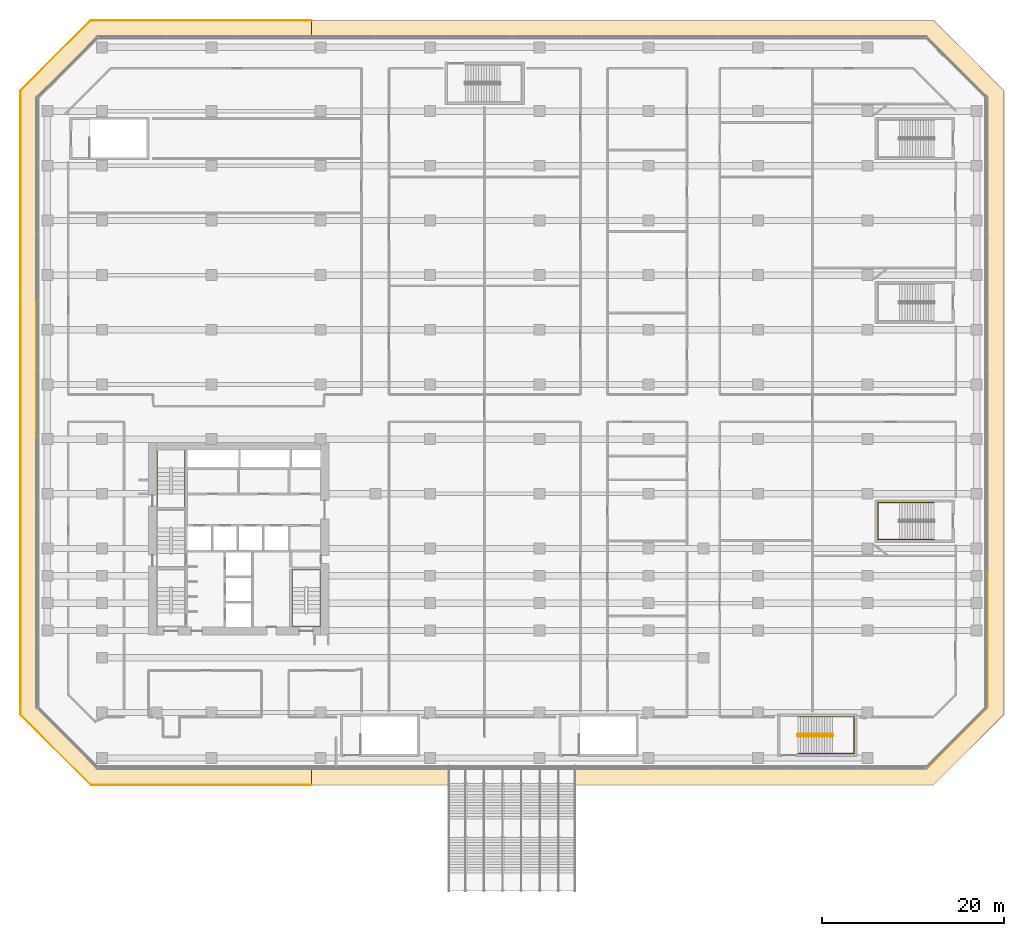
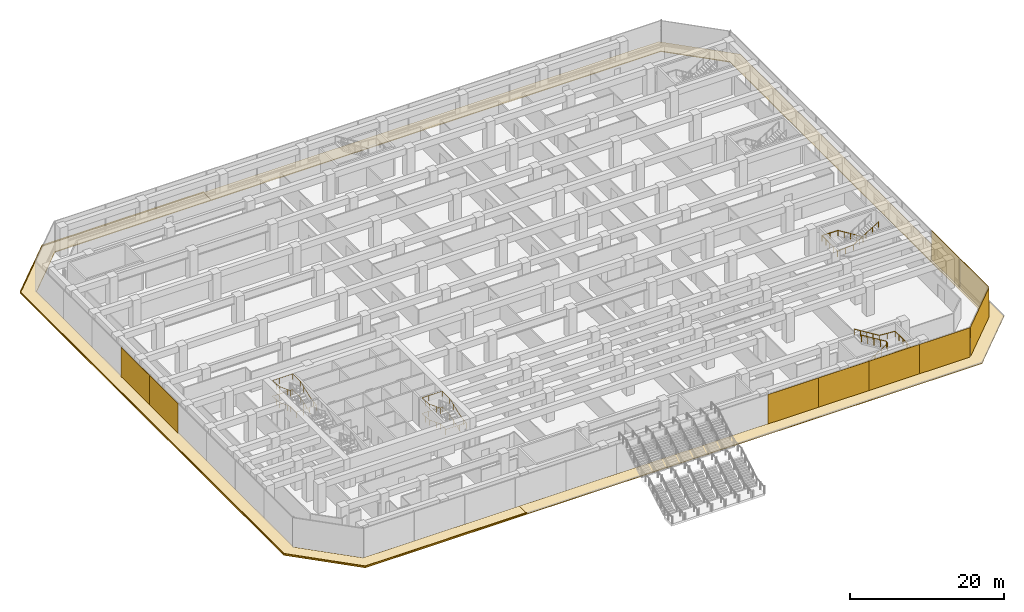
# One storey, part 38 of 40: 12 coverings, 5 railings.
"""IFC4 building model written with IfcOpenShell, lengths in metres."""

import ifcopenshell
import ifcopenshell.guid

model = None  # the IFC model being written
_history = None  # IfcOwnerHistory: only IFC2X3 demands one
_inside = {}  # id of a spatial element -> (the spatial element, [elements in it])
_under = {}  # id of a project, library or spatial element -> (it, [spatial elements below it])
_declared = {}  # id of a project -> (the project, [libraries it declares])
_typed = {}  # id of a type object -> (the type object, [elements of that type])
_made_of = {}  # id of a material, layer set ... -> (it, [elements and type objects made of it])


def new_model(schema):
    """Start an empty IFC model of exactly this schema.

    Asked for "IFC4X3", IfcOpenShell would pick the latest addendum, in which some entities
    have other attributes; the version numbers below select the first issue.
    IFC2X3 requires an IfcOwnerHistory on every rooted entity: one is made here for all.
    """
    global model, _history
    if schema == "IFC4X3":
        model = ifcopenshell.file(schema_version=(4, 3, 0, 0))
    else:
        model = ifcopenshell.file(schema=schema)
    _inside.clear()
    _under.clear()
    _declared.clear()
    _typed.clear()
    _made_of.clear()
    _history = None
    if model.schema == "IFC2X3":
        org = make("IfcOrganization", Name="unknown")
        user = make(
            "IfcPersonAndOrganization",
            ThePerson=make("IfcPerson", FamilyName="unknown"),
            TheOrganization=org,
        )
        app = make(
            "IfcApplication",
            ApplicationDeveloper=org,
            Version="unknown",
            ApplicationFullName="unknown",
            ApplicationIdentifier="unknown",
        )
        _history = make(
            "IfcOwnerHistory",
            OwningUser=user,
            OwningApplication=app,
            ChangeAction="ADDED",
            CreationDate=0,
        )
    return model


def make(cls, **values):
    """One entity of the class cls with the attributes given. An attribute that is None is left unset."""
    return model.create_entity(
        cls, **{name: value for name, value in values.items() if value is not None}
    )


def rooted(cls, **values):
    """An entity with a GlobalId (a new one), such as an element, a storey or a relation."""
    return make(cls, GlobalId=ifcopenshell.guid.new(), OwnerHistory=_history, **values)


def si_unit(unit_type, name, prefix=None):
    """IfcSIUnit, for example si_unit("LENGTHUNIT", "METRE", prefix="MILLI")."""
    return make("IfcSIUnit", UnitType=unit_type, Prefix=prefix, Name=name)


def assignment(units):
    """IfcUnitAssignment: the units of a project."""
    return None if units is None else make("IfcUnitAssignment", Units=units)


def point(xyz):
    """IfcCartesianPoint."""
    return None if xyz is None else make("IfcCartesianPoint", Coordinates=xyz)


def direction(xyz):
    """IfcDirection."""
    return None if xyz is None else make("IfcDirection", DirectionRatios=xyz)


def frame(location, z_axis=None, x_axis=None):
    """IfcAxis2Placement3D, a coordinate frame: its origin and axes. An axis left out is left unset."""
    return make(
        "IfcAxis2Placement3D",
        Location=point(location),
        Axis=direction(z_axis),
        RefDirection=direction(x_axis),
    )


def frame_2d(location, x_axis=None):
    """IfcAxis2Placement2D, a coordinate frame in the plane: its origin and x axis."""
    return make(
        "IfcAxis2Placement2D", Location=point(location), RefDirection=direction(x_axis)
    )


def origin():
    """The frame at (0, 0, 0) with its axes left unset."""
    return frame((0.0, 0.0, 0.0))


def origin_2d():
    """The frame at (0, 0) in the plane with its x axis left unset."""
    return frame_2d((0.0, 0.0))


def place(relative_to, where):
    """IfcLocalPlacement: puts the frame where relative to a parent placement (None: the world)."""
    return make(
        "IfcLocalPlacement", PlacementRelTo=relative_to, RelativePlacement=where
    )


def context(
    kind, dimensions, precision=None, world=None, true_north=None, identifier=None
):
    """IfcGeometricRepresentationContext, for example the 3D "Model" context."""
    return make(
        "IfcGeometricRepresentationContext",
        ContextIdentifier=identifier,
        ContextType=kind,
        CoordinateSpaceDimension=dimensions,
        Precision=precision,
        WorldCoordinateSystem=world,
        TrueNorth=true_north,
    )


def subcontext(parent, identifier, kind, view, scale=None):
    """IfcGeometricRepresentationSubContext, for example "Body" below "Model"."""
    return make(
        "IfcGeometricRepresentationSubContext",
        ContextIdentifier=identifier,
        ContextType=kind,
        ParentContext=parent,
        TargetScale=scale,
        TargetView=view,
    )


def project(units=None, contexts=None):
    """IfcProject with its units and contexts."""
    return rooted(
        "IfcProject",
        Name="project",
        RepresentationContexts=contexts,
        UnitsInContext=assignment(units),
    )


def spatial(cls, under=None, at=None, **own):
    """A site, building, storey or space (cls), placed at a placement, below another one or the project."""
    s = rooted(cls, ObjectPlacement=at, **own)
    if under is not None:
        _under.setdefault(under.id(), (under, []))[1].append(s)
    return s


def polyline(points):
    """IfcPolyline through the points."""
    return make("IfcPolyline", Points=[point(p) for p in points])


def profile(cls, at=None, kind="AREA", **sizes):
    """A parametric profile (cls). Its sizes go by their IFC names, for example OverallWidth=200.0."""
    return make(cls, ProfileType=kind, Position=at, **sizes)


def rectangle(**sizes):
    """IfcRectangleProfileDef."""
    return profile("IfcRectangleProfileDef", **sizes)


def circle(**sizes):
    """IfcCircleProfileDef."""
    return profile("IfcCircleProfileDef", **sizes)


def outline(outer, holes=None, kind="AREA"):
    """IfcArbitraryClosedProfileDef: a profile drawn as a closed curve; with holes, ...WithVoids."""
    if holes is None:
        return make("IfcArbitraryClosedProfileDef", ProfileType=kind, OuterCurve=outer)
    return make(
        "IfcArbitraryProfileDefWithVoids",
        ProfileType=kind,
        OuterCurve=outer,
        InnerCurves=holes,
    )


def extrude(swept, where, along, depth):
    """IfcExtrudedAreaSolid: the profile swept, set in the frame where, extruded along a direction by depth."""
    return make(
        "IfcExtrudedAreaSolid",
        SweptArea=swept,
        Position=where,
        ExtrudedDirection=direction(along),
        Depth=depth,
    )


def shape(context_of_items, identifier, shape_type, items):
    """IfcShapeRepresentation: the items that make up one representation, for example the "Body"."""
    return make(
        "IfcShapeRepresentation",
        ContextOfItems=context_of_items,
        RepresentationIdentifier=identifier,
        RepresentationType=shape_type,
        Items=items,
    )


def material(Name=None, Category=None):
    """IfcMaterial."""
    return make("IfcMaterial", Name=Name, Category=Category)


def layer(
    of_material, thickness, ventilated=None, Name=None, Category=None, Priority=None
):
    """IfcMaterialLayer: one layer of a wall or slab, of a material (None: an air gap)."""
    return make(
        "IfcMaterialLayer",
        Material=of_material,
        LayerThickness=thickness,
        IsVentilated=ventilated,
        Name=Name,
        Category=Category,
        Priority=Priority,
    )


def layer_set(layers, Name=None):
    """IfcMaterialLayerSet."""
    return make("IfcMaterialLayerSet", MaterialLayers=layers, LayerSetName=Name)


def made_of(thing, what):
    """Note that an element or type object is made of a material, layer set ...; save() writes the relation."""
    if what is not None:
        _made_of.setdefault(what.id(), (what, []))[1].append(thing)
    return thing


def type_object(cls, material=None, **own):
    """A type object (cls), such as IfcWallType, which elements share."""
    return made_of(rooted(cls, **own), material)


def element(
    cls,
    number,
    at=None,
    inside=None,
    cuts=None,
    type_object=None,
    material=None,
    context=None,
    identifier="Body",
    shape_type=None,
    held_by="IfcProductDefinitionShape",
    body=None,
    shapes=None,
    **own,
):
    """One element of the class cls, such as IfcWall. Its Tag is "e" and its number.

    at: its placement. inside: the storey or other place that contains it. cuts: it is an
    opening in that element (IfcRelVoidsElement). A single representation is given by context,
    identifier, shape_type and body (its items); several are given by shapes. held_by: the class
    of the entity that holds the representations. save() writes the other relations.
    """
    e = rooted(cls, Tag="e%d" % number, ObjectPlacement=at, **own)
    if body is not None:
        shapes = [shape(context, identifier, shape_type, body)]
    if shapes is not None:
        e.Representation = make(held_by, Representations=shapes)
    if inside is not None:
        _inside.setdefault(inside.id(), (inside, []))[1].append(e)
    if cuts is not None:
        rooted(
            "IfcRelVoidsElement", RelatingBuildingElement=cuts, RelatedOpeningElement=e
        )
    if type_object is not None:
        _typed.setdefault(type_object.id(), (type_object, []))[1].append(e)
    return made_of(e, material)


def aggregate(whole, parts):
    """IfcRelAggregates: a whole, such as a stair, and the parts it consists of."""
    return rooted("IfcRelAggregates", RelatingObject=whole, RelatedObjects=parts)


def save(model, path):
    """Write the relations noted so far, then the file.

    IfcRelAggregates (storeys below a building ...), IfcRelContainedInSpatialStructure (elements
    in a storey), IfcRelDefinesByType, IfcRelAssociatesMaterial and IfcRelDeclares: one each for
    every whole, place, type object, material and project.
    """
    for whole, parts in _under.values():
        aggregate(whole, parts)
    for where, things in _inside.values():
        rooted(
            "IfcRelContainedInSpatialStructure",
            RelatedElements=things,
            RelatingStructure=where,
        )
    for kind, things in _typed.values():
        rooted("IfcRelDefinesByType", RelatedObjects=things, RelatingType=kind)
    for what, things in _made_of.values():
        rooted("IfcRelAssociatesMaterial", RelatedObjects=things, RelatingMaterial=what)
    for by, libraries in _declared.values():
        rooted("IfcRelDeclares", RelatingContext=by, RelatedDefinitions=libraries)
    model.write(path)


model = new_model("IFC4")

# Units and contexts
model_context = context("Model", 3, precision=1e-05, world=origin(), true_north=direction((0.0, 1.0)))
body_context = subcontext(model_context, "Body", "Model", "MODEL_VIEW")
ifc_project = project(units=[si_unit("LENGTHUNIT", "METRE"), si_unit("AREAUNIT", "SQUARE_METRE"), si_unit("VOLUMEUNIT", "CUBIC_METRE"), si_unit("PLANEANGLEUNIT", "RADIAN"), si_unit("MASSUNIT", "GRAM", prefix="KILO")], contexts=[model_context])

# Site, building, storey
site_placement = place(None, origin())
site = spatial("IfcSite", under=ifc_project, at=site_placement, CompositionType="ELEMENT")
building_placement = place(site_placement, origin())
building = spatial("IfcBuilding", under=site, at=building_placement, Name="Welwitschia Terrace Campus", CompositionType="ELEMENT")
storey_placement = place(building_placement, frame((0.0, 0.0, 6.0)))
storey = spatial("IfcBuildingStorey", under=building, at=storey_placement, Name="L01", CompositionType="ELEMENT", Elevation=6.0)

# Coverings
ifc_material_1 = material(Name="Bronze mesh aluminium screen", Category="aluminium")
ifc_layer_1 = layer(ifc_material_1, 0.06005859375)
ifc_layer_set_1 = layer_set([ifc_layer_1], Name="Bronze mesh aluminium screen")
covering_type_1 = type_object("IfcCoveringType", Name="Bronze screen 60", PredefinedType="USERDEFINED", material=ifc_layer_set_1)
for number, where, z_axis, x_axis, name in (
    (1, (63.937255859375, -10.18994140625, 0.0), (0.0, 0.0, 1.0), (1.0, 0.0, 0.0), "Screen L01.0.8"),
    (2, (71.51220703125, -10.18994140625, 0.0), (0.0, 0.0, 1.0), (1.0, 0.0, 0.0), "Screen L01.0.9"),
    (3, (79.087158203125, -10.18994140625, 0.0), (0.0, 0.0, 1.0), (1.0, 0.0, 0.0), "Screen L01.0.10"),
    (4, (86.662109375, -10.18994140625, 0.0), (0.0, 0.0, 1.0), (1.0, 0.0, 0.0), "Screen L01.0.11"),
):
    element("IfcCovering", number, at=place(storey_placement, frame(where, z_axis=z_axis, x_axis=x_axis)), inside=storey, type_object=covering_type_1, Name=name, ObjectType="SCREEN", PredefinedType="USERDEFINED", context=body_context, shape_type="SweptSolid", body=[
        extrude(rectangle(XDim=7.554931640625, YDim=0.06005859375, at=origin_2d()), origin(), (0.0, 0.0, 1.0), 4.64990234375),
    ])
covering_1_placement = place(storey_placement, frame((93.841552734375, -6.841552734375, 0.0), z_axis=(0.0, 0.0, 1.0), x_axis=(0.707106781187, 0.707106781187, 0.0)))
element("IfcCovering", 5, at=covering_1_placement, inside=storey, type_object=covering_type_1, Name="Screen L01.1.0", ObjectType="SCREEN", PredefinedType="USERDEFINED", context=body_context, shape_type="SweptSolid", body=[
    extrude(rectangle(XDim=9.364013671875, YDim=0.06005859375, at=origin_2d()), origin(), (0.0, 0.0, 1.0), 4.64990234375),
])
for number, where, z_axis, x_axis, name in (
    (6, (97.18994140625, 0.26708984375, 0.0), (0.0, 0.0, 1.0), (0.0, 1.0, 0.0), "Screen L01.2.0"),
    (7, (97.18994140625, 7.700439453125, 0.0), (0.0, 0.0, 1.0), (0.0, 1.0, 0.0), "Screen L01.2.1"),
    (8, (-7.18994140625, 37.43310546875, 0.0), (0.0, 0.0, 1.0), (0.0, -1.0, 0.0), "Screen L01.6.3"),
    (9, (-7.18994140625, 30.0, 0.0), (0.0, 0.0, 1.0), (0.0, -1.0, 0.0), "Screen L01.6.4"),
):
    element("IfcCovering", number, at=place(storey_placement, frame(where, z_axis=z_axis, x_axis=x_axis)), inside=storey, type_object=covering_type_1, Name=name, ObjectType="SCREEN", PredefinedType="USERDEFINED", context=body_context, shape_type="SweptSolid", body=[
        extrude(rectangle(XDim=7.4130859375, YDim=0.06005859375, at=origin_2d()), origin(), (0.0, 0.0, 1.0), 4.64990234375),
    ])

# Railings
ifc_material_2 = material(Name="Steel S355", Category="steel")
railing_type_1 = type_object("IfcRailingType", Name="Stair guard 1100", PredefinedType="GUARDRAIL", material=ifc_material_2)
railing_1_placement = place(storey_placement, frame((76.35009765625, -6.425048828125, 0.0)))
element("IfcRailing", 10, at=railing_1_placement, inside=storey, type_object=railing_type_1, Name="L01 P5 stair guard", PredefinedType="GUARDRAIL", context=body_context, shape_type="SweptSolid", body=[
    extrude(circle(Radius=0.02392578125, at=origin_2d()), frame((0.0, 0.0, 1.076171875), z_axis=(0.0, -1.0, 0.0), x_axis=(1.0, 0.0, 0.0)), (0.0, 0.0, 1.0), 0.14990234375),
    extrude(circle(Radius=0.02392578125, at=origin_2d()), frame((0.0, -0.14990234375, 1.076171875), z_axis=(0.25949872427, -0.26077077684, 0.929870428634), x_axis=(0.708833529934, 0.705375805398, 0.0)), (0.0, 0.0, 1.0), 0.19189453125),
    extrude(circle(Radius=0.02392578125, at=origin_2d()), frame((0.0498046875, -0.199951171875, 1.25439453125), z_axis=(0.851504923564, 0.0, 0.524346607834), x_axis=(0.0, 1.0, 0.0)), (0.0, 0.0, 1.0), 4.427490234375),
    extrude(circle(Radius=0.02392578125, at=origin_2d()), frame((3.81982421875, -0.199951171875, 3.576171875), z_axis=(0.707106781187, 0.707106781187, 0.0), x_axis=(-0.707106781187, 0.707106781187, 0.0)), (0.0, 0.0, 1.0), 0.07080078125),
    extrude(circle(Radius=0.02392578125, at=origin_2d()), frame((3.869873046875, -0.14990234375, 3.576171875), z_axis=(0.0, 1.0, 0.0), x_axis=(-1.0, 0.0, 0.0)), (0.0, 0.0, 1.0), 0.14990234375),
    extrude(circle(Radius=0.02392578125, at=origin_2d()), frame((3.869873046875, 0.0, 3.576171875), z_axis=(-0.260684529273, 0.260684529273, 0.929562882432), x_axis=(-0.707106781187, -0.707106781187, 0.0)), (0.0, 0.0, 1.0), 0.19189453125),
    extrude(circle(Radius=0.02392578125, at=origin_2d()), frame((3.81982421875, 0.050048828125, 3.75439453125), z_axis=(-0.851504923564, 0.0, 0.524346607834), x_axis=(0.0, -1.0, 0.0)), (0.0, 0.0, 1.0), 4.427490234375),
    extrude(circle(Radius=0.02099609375, at=origin_2d()), origin(), (0.0, 0.0, 1.0), 1.052001953125),
    extrude(circle(Radius=0.02099609375, at=origin_2d()), frame((0.0, -0.14990234375, 0.0)), (0.0, 0.0, 1.0), 1.052001953125),
    extrude(circle(Radius=0.02099609375, at=origin_2d()), frame((0.0498046875, -0.199951171875, 0.178466796875)), (0.0, 0.0, 1.0), 1.052001953125),
    extrude(circle(Radius=0.02099609375, at=origin_2d()), frame((0.9921875, -0.199951171875, 0.7587890625)), (0.0, 0.0, 1.0), 1.052001953125),
    extrude(circle(Radius=0.02099609375, at=origin_2d()), frame((1.934814453125, -0.199951171875, 1.33935546875)), (0.0, 0.0, 1.0), 1.052001953125),
    extrude(circle(Radius=0.02099609375, at=origin_2d()), frame((2.87744140625, -0.199951171875, 1.919677734375)), (0.0, 0.0, 1.0), 1.052001953125),
    extrude(circle(Radius=0.02099609375, at=origin_2d()), frame((3.81982421875, -0.199951171875, 2.5)), (0.0, 0.0, 1.0), 1.052001953125),
    extrude(circle(Radius=0.02099609375, at=origin_2d()), frame((3.869873046875, -0.14990234375, 2.5)), (0.0, 0.0, 1.0), 1.052001953125),
    extrude(circle(Radius=0.02099609375, at=origin_2d()), frame((3.869873046875, 0.0, 2.5)), (0.0, 0.0, 1.0), 1.052001953125),
    extrude(circle(Radius=0.02099609375, at=origin_2d()), frame((3.81982421875, 0.050048828125, 2.678466796875)), (0.0, 0.0, 1.0), 1.052001953125),
    extrude(circle(Radius=0.02099609375, at=origin_2d()), frame((2.87744140625, 0.050048828125, 3.2587890625)), (0.0, 0.0, 1.0), 1.052001953125),
    extrude(circle(Radius=0.02099609375, at=origin_2d()), frame((1.934814453125, 0.050048828125, 3.83935546875)), (0.0, 0.0, 1.0), 1.052001953125),
    extrude(circle(Radius=0.02099609375, at=origin_2d()), frame((0.9921875, 0.050048828125, 4.419677734375)), (0.0, 0.0, 1.0), 1.052001953125),
    extrude(circle(Radius=0.02099609375, at=origin_2d()), frame((0.0498046875, 0.050048828125, 5.0)), (0.0, 0.0, 1.0), 1.052001953125),
])
ifc_material_3 = material(Name="Steel S355", Category="steel")
railing_type_2 = type_object("IfcRailingType", Name="Stair handrail 900", PredefinedType="HANDRAIL", material=ifc_material_3)
railing_2_placement = place(storey_placement, frame((9.10009765625, 20.0, 0.178466796875)))
element("IfcRailing", 11, at=railing_2_placement, inside=storey, type_object=railing_type_2, Name="L01 S4 stair handrail", PredefinedType="HANDRAIL", context=body_context, shape_type="SweptSolid", body=[
    extrude(circle(Radius=0.02392578125, at=origin_2d()), frame((0.0, 0.0, 0.8759765625), z_axis=(0.0, 0.934793791609, 0.355190888354), x_axis=(-1.0, 0.0, 0.0)), (0.0, 0.0, 1.0), 3.016845703125),
    extrude(circle(Radius=0.02392578125, at=origin_2d()), frame((0.0, 2.820068359375, 1.947265625), z_axis=(0.0, 1.0, 0.0), x_axis=(-1.0, 0.0, 0.0)), (0.0, 0.0, 1.0), 1.929931640625),
    extrude(circle(Radius=0.02392578125, at=origin_2d()), frame((0.0, 4.75, 1.947265625), z_axis=(-1.0, 0.0, 0.0), x_axis=(0.0, -1.0, 0.0)), (0.0, 0.0, 1.0), 3.050048828125),
    extrude(circle(Radius=0.02392578125, at=origin_2d()), frame((-3.050048828125, 4.75, 1.947265625), z_axis=(0.0, -0.995751588871, 0.092080254455), x_axis=(1.0, 0.0, 0.0)), (0.0, 0.0, 1.0), 1.938232421875),
    extrude(circle(Radius=0.02392578125, at=origin_2d()), frame((-3.050048828125, 2.820068359375, 2.1259765625), z_axis=(0.0, -0.934793791609, 0.355190888354), x_axis=(1.0, 0.0, 0.0)), (0.0, 0.0, 1.0), 3.016845703125),
    extrude(circle(Radius=0.02392578125, at=origin_2d()), frame((-3.050048828125, 0.0, 3.197265625), z_axis=(0.0, -1.0, 0.0), x_axis=(1.0, 0.0, 0.0)), (0.0, 0.0, 1.0), 1.449951171875),
    extrude(circle(Radius=0.02392578125, at=origin_2d()), frame((-3.050048828125, -1.449951171875, 3.197265625), z_axis=(1.0, 0.0, 0.0), x_axis=(0.0, 1.0, 0.0)), (0.0, 0.0, 1.0), 3.050048828125),
    extrude(circle(Radius=0.02392578125, at=origin_2d()), frame((0.0, -1.449951171875, 3.197265625), z_axis=(0.0, 0.992510075744, 0.122162799355), x_axis=(-1.0, 0.0, 0.0)), (0.0, 0.0, 1.0), 1.4609375),
    extrude(circle(Radius=0.02392578125, at=origin_2d()), frame((0.0, 0.0, 3.3759765625), z_axis=(0.0, 0.934793791609, 0.355190888354), x_axis=(-1.0, 0.0, 0.0)), (0.0, 0.0, 1.0), 3.016845703125),
    extrude(circle(Radius=0.02392578125, at=origin_2d()), frame((0.0, 2.820068359375, 4.447265625), z_axis=(0.0, 1.0, 0.0), x_axis=(-1.0, 0.0, 0.0)), (0.0, 0.0, 1.0), 1.929931640625),
    extrude(circle(Radius=0.02392578125, at=origin_2d()), frame((0.0, 4.75, 4.447265625), z_axis=(-1.0, 0.0, 0.0), x_axis=(0.0, -1.0, 0.0)), (0.0, 0.0, 1.0), 3.050048828125),
    extrude(circle(Radius=0.02392578125, at=origin_2d()), frame((-3.050048828125, 4.75, 4.447265625), z_axis=(0.0, -0.995751588871, 0.092080254455), x_axis=(1.0, 0.0, 0.0)), (0.0, 0.0, 1.0), 1.938232421875),
    extrude(circle(Radius=0.02392578125, at=origin_2d()), frame((-3.050048828125, 2.820068359375, 4.6259765625), z_axis=(0.0, -0.934793791609, 0.355190888354), x_axis=(1.0, 0.0, 0.0)), (0.0, 0.0, 1.0), 3.016845703125),
    extrude(circle(Radius=0.02099609375, at=origin_2d()), origin(), (0.0, 0.0, 1.0), 0.851806640625),
    extrude(circle(Radius=0.02099609375, at=origin_2d()), frame((0.0, 0.93994140625, 0.357177734375)), (0.0, 0.0, 1.0), 0.851806640625),
    extrude(circle(Radius=0.02099609375, at=origin_2d()), frame((0.0, 1.880126953125, 0.71435546875)), (0.0, 0.0, 1.0), 0.851806640625),
    extrude(circle(Radius=0.02099609375, at=origin_2d()), frame((0.0, 2.820068359375, 1.071533203125)), (0.0, 0.0, 1.0), 0.851806640625),
    extrude(circle(Radius=0.02099609375, at=origin_2d()), frame((0.0, 3.78515625, 1.071533203125)), (0.0, 0.0, 1.0), 0.851806640625),
    extrude(circle(Radius=0.02099609375, at=origin_2d()), frame((0.0, 4.75, 1.071533203125)), (0.0, 0.0, 1.0), 0.851806640625),
    extrude(circle(Radius=0.02099609375, at=origin_2d()), frame((-1.0166015625, 4.75, 1.071533203125)), (0.0, 0.0, 1.0), 0.851806640625),
    extrude(circle(Radius=0.02099609375, at=origin_2d()), frame((-2.033447265625, 4.75, 1.071533203125)), (0.0, 0.0, 1.0), 0.851806640625),
    extrude(circle(Radius=0.02099609375, at=origin_2d()), frame((-3.050048828125, 4.75, 1.071533203125)), (0.0, 0.0, 1.0), 0.851806640625),
    extrude(circle(Radius=0.02099609375, at=origin_2d()), frame((-3.050048828125, 3.78515625, 1.16064453125)), (0.0, 0.0, 1.0), 0.851806640625),
    extrude(circle(Radius=0.02099609375, at=origin_2d()), frame((-3.050048828125, 2.820068359375, 1.25)), (0.0, 0.0, 1.0), 0.851806640625),
    extrude(circle(Radius=0.02099609375, at=origin_2d()), frame((-3.050048828125, 1.880126953125, 1.607177734375)), (0.0, 0.0, 1.0), 0.851806640625),
    extrude(circle(Radius=0.02099609375, at=origin_2d()), frame((-3.050048828125, 0.93994140625, 1.96435546875)), (0.0, 0.0, 1.0), 0.851806640625),
    extrude(circle(Radius=0.02099609375, at=origin_2d()), frame((-3.050048828125, 0.0, 2.321533203125)), (0.0, 0.0, 1.0), 0.851806640625),
    extrude(circle(Radius=0.02099609375, at=origin_2d()), frame((-3.050048828125, -0.72509765625, 2.321533203125)), (0.0, 0.0, 1.0), 0.851806640625),
    extrude(circle(Radius=0.02099609375, at=origin_2d()), frame((-3.050048828125, -1.449951171875, 2.321533203125)), (0.0, 0.0, 1.0), 0.851806640625),
    extrude(circle(Radius=0.02099609375, at=origin_2d()), frame((-2.033447265625, -1.449951171875, 2.321533203125)), (0.0, 0.0, 1.0), 0.851806640625),
    extrude(circle(Radius=0.02099609375, at=origin_2d()), frame((-1.0166015625, -1.449951171875, 2.321533203125)), (0.0, 0.0, 1.0), 0.851806640625),
    extrude(circle(Radius=0.02099609375, at=origin_2d()), frame((0.0, -1.449951171875, 2.321533203125)), (0.0, 0.0, 1.0), 0.851806640625),
    extrude(circle(Radius=0.02099609375, at=origin_2d()), frame((0.0, -0.72509765625, 2.41064453125)), (0.0, 0.0, 1.0), 0.851806640625),
    extrude(circle(Radius=0.02099609375, at=origin_2d()), frame((0.0, 0.0, 2.5)), (0.0, 0.0, 1.0), 0.851806640625),
    extrude(circle(Radius=0.02099609375, at=origin_2d()), frame((0.0, 0.93994140625, 2.857177734375)), (0.0, 0.0, 1.0), 0.851806640625),
    extrude(circle(Radius=0.02099609375, at=origin_2d()), frame((0.0, 1.880126953125, 3.21435546875)), (0.0, 0.0, 1.0), 0.851806640625),
    extrude(circle(Radius=0.02099609375, at=origin_2d()), frame((0.0, 2.820068359375, 3.571533203125)), (0.0, 0.0, 1.0), 0.851806640625),
    extrude(circle(Radius=0.02099609375, at=origin_2d()), frame((0.0, 3.78515625, 3.571533203125)), (0.0, 0.0, 1.0), 0.851806640625),
    extrude(circle(Radius=0.02099609375, at=origin_2d()), frame((0.0, 4.75, 3.571533203125)), (0.0, 0.0, 1.0), 0.851806640625),
    extrude(circle(Radius=0.02099609375, at=origin_2d()), frame((-1.0166015625, 4.75, 3.571533203125)), (0.0, 0.0, 1.0), 0.851806640625),
    extrude(circle(Radius=0.02099609375, at=origin_2d()), frame((-2.033447265625, 4.75, 3.571533203125)), (0.0, 0.0, 1.0), 0.851806640625),
    extrude(circle(Radius=0.02099609375, at=origin_2d()), frame((-3.050048828125, 4.75, 3.571533203125)), (0.0, 0.0, 1.0), 0.851806640625),
    extrude(circle(Radius=0.02099609375, at=origin_2d()), frame((-3.050048828125, 3.78515625, 3.66064453125)), (0.0, 0.0, 1.0), 0.851806640625),
    extrude(circle(Radius=0.02099609375, at=origin_2d()), frame((-3.050048828125, 2.820068359375, 3.75)), (0.0, 0.0, 1.0), 0.851806640625),
    extrude(circle(Radius=0.02099609375, at=origin_2d()), frame((-3.050048828125, 1.880126953125, 4.107177734375)), (0.0, 0.0, 1.0), 0.851806640625),
    extrude(circle(Radius=0.02099609375, at=origin_2d()), frame((-3.050048828125, 0.93994140625, 4.46435546875)), (0.0, 0.0, 1.0), 0.851806640625),
    extrude(circle(Radius=0.02099609375, at=origin_2d()), frame((-3.050048828125, 0.0, 4.821533203125)), (0.0, 0.0, 1.0), 0.851806640625),
])
railing_3_placement = place(storey_placement, frame((23.949951171875, 6.89990234375, 0.178466796875)))
element("IfcRailing", 12, at=railing_3_placement, inside=storey, type_object=railing_type_2, Name="L01 S2 stair handrail", PredefinedType="HANDRAIL", context=body_context, shape_type="SweptSolid", body=[
    extrude(circle(Radius=0.02392578125, at=origin_2d()), frame((0.0, 0.0, 0.8759765625), z_axis=(0.0, 0.934793791609, 0.355190888354), x_axis=(-1.0, 0.0, 0.0)), (0.0, 0.0, 1.0), 3.016845703125),
    extrude(circle(Radius=0.02392578125, at=origin_2d()), frame((0.0, 2.820068359375, 1.947265625), z_axis=(0.0, 1.0, 0.0), x_axis=(-1.0, 0.0, 0.0)), (0.0, 0.0, 1.0), 1.929931640625),
    extrude(circle(Radius=0.02392578125, at=origin_2d()), frame((0.0, 4.75, 1.947265625), z_axis=(-1.0, 0.0, 0.0), x_axis=(0.0, -1.0, 0.0)), (0.0, 0.0, 1.0), 3.050048828125),
    extrude(circle(Radius=0.02392578125, at=origin_2d()), frame((-3.050048828125, 4.75, 1.947265625), z_axis=(0.0, -0.995751588871, 0.092080254455), x_axis=(1.0, 0.0, 0.0)), (0.0, 0.0, 1.0), 1.938232421875),
    extrude(circle(Radius=0.02392578125, at=origin_2d()), frame((-3.050048828125, 2.820068359375, 2.1259765625), z_axis=(0.0, -0.934793791609, 0.355190888354), x_axis=(1.0, 0.0, 0.0)), (0.0, 0.0, 1.0), 3.016845703125),
    extrude(circle(Radius=0.02392578125, at=origin_2d()), frame((-3.050048828125, 0.0, 3.197265625), z_axis=(0.0, -1.0, 0.0), x_axis=(1.0, 0.0, 0.0)), (0.0, 0.0, 1.0), 1.449951171875),
    extrude(circle(Radius=0.02392578125, at=origin_2d()), frame((-3.050048828125, -1.449951171875, 3.197265625), z_axis=(1.0, 0.0, 0.0), x_axis=(0.0, 1.0, 0.0)), (0.0, 0.0, 1.0), 3.050048828125),
    extrude(circle(Radius=0.02392578125, at=origin_2d()), frame((0.0, -1.449951171875, 3.197265625), z_axis=(0.0, 0.992510075744, 0.122162799355), x_axis=(-1.0, 0.0, 0.0)), (0.0, 0.0, 1.0), 1.4609375),
    extrude(circle(Radius=0.02392578125, at=origin_2d()), frame((0.0, 0.0, 3.3759765625), z_axis=(0.0, 0.934793791609, 0.355190888354), x_axis=(-1.0, 0.0, 0.0)), (0.0, 0.0, 1.0), 3.016845703125),
    extrude(circle(Radius=0.02392578125, at=origin_2d()), frame((0.0, 2.820068359375, 4.447265625), z_axis=(0.0, 1.0, 0.0), x_axis=(-1.0, 0.0, 0.0)), (0.0, 0.0, 1.0), 1.929931640625),
    extrude(circle(Radius=0.02392578125, at=origin_2d()), frame((0.0, 4.75, 4.447265625), z_axis=(-1.0, 0.0, 0.0), x_axis=(0.0, -1.0, 0.0)), (0.0, 0.0, 1.0), 3.050048828125),
    extrude(circle(Radius=0.02392578125, at=origin_2d()), frame((-3.050048828125, 4.75, 4.447265625), z_axis=(0.0, -0.995751588871, 0.092080254455), x_axis=(1.0, 0.0, 0.0)), (0.0, 0.0, 1.0), 1.938232421875),
    extrude(circle(Radius=0.02392578125, at=origin_2d()), frame((-3.050048828125, 2.820068359375, 4.6259765625), z_axis=(0.0, -0.934793791609, 0.355190888354), x_axis=(1.0, 0.0, 0.0)), (0.0, 0.0, 1.0), 3.016845703125),
    extrude(circle(Radius=0.02099609375, at=origin_2d()), origin(), (0.0, 0.0, 1.0), 0.851806640625),
    extrude(circle(Radius=0.02099609375, at=origin_2d()), frame((0.0, 0.93994140625, 0.357177734375)), (0.0, 0.0, 1.0), 0.851806640625),
    extrude(circle(Radius=0.02099609375, at=origin_2d()), frame((0.0, 1.880126953125, 0.71435546875)), (0.0, 0.0, 1.0), 0.851806640625),
    extrude(circle(Radius=0.02099609375, at=origin_2d()), frame((0.0, 2.820068359375, 1.071533203125)), (0.0, 0.0, 1.0), 0.851806640625),
    extrude(circle(Radius=0.02099609375, at=origin_2d()), frame((0.0, 3.78515625, 1.071533203125)), (0.0, 0.0, 1.0), 0.851806640625),
    extrude(circle(Radius=0.02099609375, at=origin_2d()), frame((0.0, 4.75, 1.071533203125)), (0.0, 0.0, 1.0), 0.851806640625),
    extrude(circle(Radius=0.02099609375, at=origin_2d()), frame((-1.0166015625, 4.75, 1.071533203125)), (0.0, 0.0, 1.0), 0.851806640625),
    extrude(circle(Radius=0.02099609375, at=origin_2d()), frame((-2.033447265625, 4.75, 1.071533203125)), (0.0, 0.0, 1.0), 0.851806640625),
    extrude(circle(Radius=0.02099609375, at=origin_2d()), frame((-3.050048828125, 4.75, 1.071533203125)), (0.0, 0.0, 1.0), 0.851806640625),
    extrude(circle(Radius=0.02099609375, at=origin_2d()), frame((-3.050048828125, 3.78515625, 1.16064453125)), (0.0, 0.0, 1.0), 0.851806640625),
    extrude(circle(Radius=0.02099609375, at=origin_2d()), frame((-3.050048828125, 2.820068359375, 1.25)), (0.0, 0.0, 1.0), 0.851806640625),
    extrude(circle(Radius=0.02099609375, at=origin_2d()), frame((-3.050048828125, 1.880126953125, 1.607177734375)), (0.0, 0.0, 1.0), 0.851806640625),
    extrude(circle(Radius=0.02099609375, at=origin_2d()), frame((-3.050048828125, 0.93994140625, 1.96435546875)), (0.0, 0.0, 1.0), 0.851806640625),
    extrude(circle(Radius=0.02099609375, at=origin_2d()), frame((-3.050048828125, 0.0, 2.321533203125)), (0.0, 0.0, 1.0), 0.851806640625),
    extrude(circle(Radius=0.02099609375, at=origin_2d()), frame((-3.050048828125, -0.72509765625, 2.321533203125)), (0.0, 0.0, 1.0), 0.851806640625),
    extrude(circle(Radius=0.02099609375, at=origin_2d()), frame((-3.050048828125, -1.449951171875, 2.321533203125)), (0.0, 0.0, 1.0), 0.851806640625),
    extrude(circle(Radius=0.02099609375, at=origin_2d()), frame((-2.033447265625, -1.449951171875, 2.321533203125)), (0.0, 0.0, 1.0), 0.851806640625),
    extrude(circle(Radius=0.02099609375, at=origin_2d()), frame((-1.0166015625, -1.449951171875, 2.321533203125)), (0.0, 0.0, 1.0), 0.851806640625),
    extrude(circle(Radius=0.02099609375, at=origin_2d()), frame((0.0, -1.449951171875, 2.321533203125)), (0.0, 0.0, 1.0), 0.851806640625),
    extrude(circle(Radius=0.02099609375, at=origin_2d()), frame((0.0, -0.72509765625, 2.41064453125)), (0.0, 0.0, 1.0), 0.851806640625),
    extrude(circle(Radius=0.02099609375, at=origin_2d()), frame((0.0, 0.0, 2.5)), (0.0, 0.0, 1.0), 0.851806640625),
    extrude(circle(Radius=0.02099609375, at=origin_2d()), frame((0.0, 0.93994140625, 2.857177734375)), (0.0, 0.0, 1.0), 0.851806640625),
    extrude(circle(Radius=0.02099609375, at=origin_2d()), frame((0.0, 1.880126953125, 3.21435546875)), (0.0, 0.0, 1.0), 0.851806640625),
    extrude(circle(Radius=0.02099609375, at=origin_2d()), frame((0.0, 2.820068359375, 3.571533203125)), (0.0, 0.0, 1.0), 0.851806640625),
    extrude(circle(Radius=0.02099609375, at=origin_2d()), frame((0.0, 3.78515625, 3.571533203125)), (0.0, 0.0, 1.0), 0.851806640625),
    extrude(circle(Radius=0.02099609375, at=origin_2d()), frame((0.0, 4.75, 3.571533203125)), (0.0, 0.0, 1.0), 0.851806640625),
    extrude(circle(Radius=0.02099609375, at=origin_2d()), frame((-1.0166015625, 4.75, 3.571533203125)), (0.0, 0.0, 1.0), 0.851806640625),
    extrude(circle(Radius=0.02099609375, at=origin_2d()), frame((-2.033447265625, 4.75, 3.571533203125)), (0.0, 0.0, 1.0), 0.851806640625),
    extrude(circle(Radius=0.02099609375, at=origin_2d()), frame((-3.050048828125, 4.75, 3.571533203125)), (0.0, 0.0, 1.0), 0.851806640625),
    extrude(circle(Radius=0.02099609375, at=origin_2d()), frame((-3.050048828125, 3.78515625, 3.66064453125)), (0.0, 0.0, 1.0), 0.851806640625),
    extrude(circle(Radius=0.02099609375, at=origin_2d()), frame((-3.050048828125, 2.820068359375, 3.75)), (0.0, 0.0, 1.0), 0.851806640625),
    extrude(circle(Radius=0.02099609375, at=origin_2d()), frame((-3.050048828125, 1.880126953125, 4.107177734375)), (0.0, 0.0, 1.0), 0.851806640625),
    extrude(circle(Radius=0.02099609375, at=origin_2d()), frame((-3.050048828125, 0.93994140625, 4.46435546875)), (0.0, 0.0, 1.0), 0.851806640625),
    extrude(circle(Radius=0.02099609375, at=origin_2d()), frame((-3.050048828125, 0.0, 4.821533203125)), (0.0, 0.0, 1.0), 0.851806640625),
])
railing_4_placement = place(storey_placement, frame((76.39990234375, -8.52490234375, 0.178466796875)))
element("IfcRailing", 13, at=railing_4_placement, inside=storey, type_object=railing_type_2, Name="L01 P5 stair handrail", PredefinedType="HANDRAIL", context=body_context, shape_type="SweptSolid", body=[
    extrude(circle(Radius=0.02392578125, at=origin_2d()), frame((0.0, 0.0, 0.8759765625), z_axis=(0.851504923564, 0.0, 0.524346607834), x_axis=(0.0, 1.0, 0.0)), (0.0, 0.0, 1.0), 4.427490234375),
    extrude(circle(Radius=0.02392578125, at=origin_2d()), frame((3.77001953125, 0.0, 3.197265625), z_axis=(1.0, 0.0, 0.0), x_axis=(0.0, 1.0, 0.0)), (0.0, 0.0, 1.0), 2.380126953125),
    extrude(circle(Radius=0.02392578125, at=origin_2d()), frame((6.150146484375, 0.0, 3.197265625), z_axis=(0.0, 1.0, 0.0), x_axis=(-1.0, 0.0, 0.0)), (0.0, 0.0, 1.0), 4.0498046875),
    extrude(circle(Radius=0.02392578125, at=origin_2d()), frame((6.150146484375, 4.0498046875, 3.197265625), z_axis=(-0.997200644743, 0.0, 0.074772148047), x_axis=(0.0, -1.0, 0.0)), (0.0, 0.0, 1.0), 2.38671875),
    extrude(circle(Radius=0.02392578125, at=origin_2d()), frame((3.77001953125, 4.0498046875, 3.3759765625), z_axis=(-0.851504923564, 0.0, 0.524346607834), x_axis=(0.0, -1.0, 0.0)), (0.0, 0.0, 1.0), 4.427490234375),
    extrude(circle(Radius=0.02099609375, at=origin_2d()), origin(), (0.0, 0.0, 1.0), 0.851806640625),
    extrude(circle(Radius=0.02099609375, at=origin_2d()), frame((0.9423828125, 0.0, 0.580322265625)), (0.0, 0.0, 1.0), 0.851806640625),
    extrude(circle(Radius=0.02099609375, at=origin_2d()), frame((1.885009765625, 0.0, 1.16064453125)), (0.0, 0.0, 1.0), 0.851806640625),
    extrude(circle(Radius=0.02099609375, at=origin_2d()), frame((2.82763671875, 0.0, 1.7412109375)), (0.0, 0.0, 1.0), 0.851806640625),
    extrude(circle(Radius=0.02099609375, at=origin_2d()), frame((3.77001953125, 0.0, 2.321533203125)), (0.0, 0.0, 1.0), 0.851806640625),
    extrude(circle(Radius=0.02099609375, at=origin_2d()), frame((4.9599609375, 0.0, 2.321533203125)), (0.0, 0.0, 1.0), 0.851806640625),
    extrude(circle(Radius=0.02099609375, at=origin_2d()), frame((6.150146484375, 0.0, 2.321533203125)), (0.0, 0.0, 1.0), 0.851806640625),
    extrude(circle(Radius=0.02099609375, at=origin_2d()), frame((6.150146484375, 1.012451171875, 2.321533203125)), (0.0, 0.0, 1.0), 0.851806640625),
    extrude(circle(Radius=0.02099609375, at=origin_2d()), frame((6.150146484375, 2.02490234375, 2.321533203125)), (0.0, 0.0, 1.0), 0.851806640625),
    extrude(circle(Radius=0.02099609375, at=origin_2d()), frame((6.150146484375, 3.037353515625, 2.321533203125)), (0.0, 0.0, 1.0), 0.851806640625),
    extrude(circle(Radius=0.02099609375, at=origin_2d()), frame((6.150146484375, 4.0498046875, 2.321533203125)), (0.0, 0.0, 1.0), 0.851806640625),
    extrude(circle(Radius=0.02099609375, at=origin_2d()), frame((4.9599609375, 4.0498046875, 2.41064453125)), (0.0, 0.0, 1.0), 0.851806640625),
    extrude(circle(Radius=0.02099609375, at=origin_2d()), frame((3.77001953125, 4.0498046875, 2.5)), (0.0, 0.0, 1.0), 0.851806640625),
    extrude(circle(Radius=0.02099609375, at=origin_2d()), frame((2.82763671875, 4.0498046875, 3.080322265625)), (0.0, 0.0, 1.0), 0.851806640625),
    extrude(circle(Radius=0.02099609375, at=origin_2d()), frame((1.885009765625, 4.0498046875, 3.66064453125)), (0.0, 0.0, 1.0), 0.851806640625),
    extrude(circle(Radius=0.02099609375, at=origin_2d()), frame((0.9423828125, 4.0498046875, 4.2412109375)), (0.0, 0.0, 1.0), 0.851806640625),
    extrude(circle(Radius=0.02099609375, at=origin_2d()), frame((0.0, 4.0498046875, 4.821533203125)), (0.0, 0.0, 1.0), 0.851806640625),
])
railing_5_placement = place(storey_placement, frame((91.300048828125, 19.02490234375, 0.178466796875)))
element("IfcRailing", 14, at=railing_5_placement, inside=storey, type_object=railing_type_2, Name="L01 P6 stair handrail", PredefinedType="HANDRAIL", context=body_context, shape_type="SweptSolid", body=[
    extrude(circle(Radius=0.02392578125, at=origin_2d()), frame((0.0, 0.0, 0.8759765625), z_axis=(-0.851504923564, 0.0, 0.524346607834), x_axis=(0.0, -1.0, 0.0)), (0.0, 0.0, 1.0), 4.427490234375),
    extrude(circle(Radius=0.02392578125, at=origin_2d()), frame((-3.77001953125, 0.0, 3.197265625), z_axis=(-1.0, 0.0, 0.0), x_axis=(0.0, -1.0, 0.0)), (0.0, 0.0, 1.0), 2.380126953125),
    extrude(circle(Radius=0.02392578125, at=origin_2d()), frame((-6.150146484375, 0.0, 3.197265625), z_axis=(0.0, -1.0, 0.0), x_axis=(1.0, 0.0, 0.0)), (0.0, 0.0, 1.0), 4.0498046875),
    extrude(circle(Radius=0.02392578125, at=origin_2d()), frame((-6.150146484375, -4.0498046875, 3.197265625), z_axis=(0.997200644743, 0.0, 0.074772148047), x_axis=(0.0, 1.0, 0.0)), (0.0, 0.0, 1.0), 2.38671875),
    extrude(circle(Radius=0.02392578125, at=origin_2d()), frame((-3.77001953125, -4.0498046875, 3.3759765625), z_axis=(0.851504923564, 0.0, 0.524346607834), x_axis=(0.0, 1.0, 0.0)), (0.0, 0.0, 1.0), 4.427490234375),
    extrude(circle(Radius=0.02099609375, at=origin_2d()), origin(), (0.0, 0.0, 1.0), 0.851806640625),
    extrude(circle(Radius=0.02099609375, at=origin_2d()), frame((-0.9423828125, 0.0, 0.580322265625)), (0.0, 0.0, 1.0), 0.851806640625),
    extrude(circle(Radius=0.02099609375, at=origin_2d()), frame((-1.885009765625, 0.0, 1.16064453125)), (0.0, 0.0, 1.0), 0.851806640625),
    extrude(circle(Radius=0.02099609375, at=origin_2d()), frame((-2.82763671875, 0.0, 1.7412109375)), (0.0, 0.0, 1.0), 0.851806640625),
    extrude(circle(Radius=0.02099609375, at=origin_2d()), frame((-3.77001953125, 0.0, 2.321533203125)), (0.0, 0.0, 1.0), 0.851806640625),
    extrude(circle(Radius=0.02099609375, at=origin_2d()), frame((-4.9599609375, 0.0, 2.321533203125)), (0.0, 0.0, 1.0), 0.851806640625),
    extrude(circle(Radius=0.02099609375, at=origin_2d()), frame((-6.150146484375, 0.0, 2.321533203125)), (0.0, 0.0, 1.0), 0.851806640625),
    extrude(circle(Radius=0.02099609375, at=origin_2d()), frame((-6.150146484375, -1.012451171875, 2.321533203125)), (0.0, 0.0, 1.0), 0.851806640625),
    extrude(circle(Radius=0.02099609375, at=origin_2d()), frame((-6.150146484375, -2.02490234375, 2.321533203125)), (0.0, 0.0, 1.0), 0.851806640625),
    extrude(circle(Radius=0.02099609375, at=origin_2d()), frame((-6.150146484375, -3.037353515625, 2.321533203125)), (0.0, 0.0, 1.0), 0.851806640625),
    extrude(circle(Radius=0.02099609375, at=origin_2d()), frame((-6.150146484375, -4.0498046875, 2.321533203125)), (0.0, 0.0, 1.0), 0.851806640625),
    extrude(circle(Radius=0.02099609375, at=origin_2d()), frame((-4.9599609375, -4.0498046875, 2.41064453125)), (0.0, 0.0, 1.0), 0.851806640625),
    extrude(circle(Radius=0.02099609375, at=origin_2d()), frame((-3.77001953125, -4.0498046875, 2.5)), (0.0, 0.0, 1.0), 0.851806640625),
    extrude(circle(Radius=0.02099609375, at=origin_2d()), frame((-2.82763671875, -4.0498046875, 3.080322265625)), (0.0, 0.0, 1.0), 0.851806640625),
    extrude(circle(Radius=0.02099609375, at=origin_2d()), frame((-1.885009765625, -4.0498046875, 3.66064453125)), (0.0, 0.0, 1.0), 0.851806640625),
    extrude(circle(Radius=0.02099609375, at=origin_2d()), frame((-0.9423828125, -4.0498046875, 4.2412109375)), (0.0, 0.0, 1.0), 0.851806640625),
    extrude(circle(Radius=0.02099609375, at=origin_2d()), frame((0.0, -4.0498046875, 4.821533203125)), (0.0, 0.0, 1.0), 0.851806640625),
])

# Coverings
ifc_material_4 = material(Name="Bronze anodised aluminium", Category="aluminium")
ifc_layer_2 = layer(ifc_material_4, 0.1201171875)
ifc_layer_set_2 = layer_set([ifc_layer_2], Name="Bronze anodised aluminium")
covering_type_2 = type_object("IfcCoveringType", Name="Sunshade band 2000", PredefinedType="USERDEFINED", material=ifc_layer_set_2)
covering_2_placement = place(storey_placement, frame((0.0, 0.0, -0.25)))
element("IfcCovering", 15, at=covering_2_placement, inside=storey, type_object=covering_type_2, Name="SUNSHADE L01.SW0", ObjectType="SUNSHADE", PredefinedType="USERDEFINED", context=body_context, shape_type="SweptSolid", body=[
    extrude(outline(polyline([(-9.0, 64.24267578125), (-1.24267578125, 72.0), (23.0, 72.0), (23.0, 70.0), (-0.414306640625, 70.0), (-7.0, 63.414306640625), (-7.0, -3.414306640625), (-0.414306640625, -10.0), (23.0, -10.0), (23.0, -12.0), (-1.24267578125, -12.0), (-9.0, -4.24267578125), (-9.0, 64.24267578125)])), origin(), (0.0, 0.0, 1.0), 0.1201171875),
])
covering_3_placement = place(storey_placement, frame((0.0, 0.0, -0.25)))
element("IfcCovering", 16, at=covering_3_placement, inside=storey, type_object=covering_type_2, Name="SUNSHADE L01.SE0", ObjectType="SUNSHADE", PredefinedType="USERDEFINED", context=body_context, shape_type="SweptSolid", body=[
    extrude(outline(polyline([(91.24267578125, 72.0), (99.0, 64.24267578125), (99.0, -4.24267578125), (91.24267578125, -12.0), (23.0, -12.0), (23.0, -10.0), (90.414306640625, -10.0), (97.0, -3.414306640625), (97.0, 63.414306640625), (90.414306640625, 70.0), (23.0, 70.0), (23.0, 72.0), (91.24267578125, 72.0)])), origin(), (0.0, 0.0, 1.0), 0.1201171875),
])
ifc_material_5 = material(Name="Bronze anodised aluminium", Category="aluminium")
ifc_layer_3 = layer(ifc_material_5, 0.06005859375)
ifc_layer_set_3 = layer_set([ifc_layer_3], Name="Bronze anodised aluminium")
covering_type_3 = type_object("IfcCoveringType", Name="Sunshade lip 60", PredefinedType="USERDEFINED", material=ifc_layer_set_3)
covering_4_placement = place(storey_placement, frame((0.0, 0.0, -0.1298828125)))
element("IfcCovering", 17, at=covering_4_placement, inside=storey, type_object=covering_type_3, Name="SUNSHADE LIP L01.SW0.0", ObjectType="SUNSHADE", PredefinedType="USERDEFINED", context=body_context, shape_type="SweptSolid", body=[
    extrude(outline(polyline([(-1.24267578125, 72.0), (23.0, 72.0), (23.0, 71.93994140625), (-1.2177734375, 71.93994140625), (-8.93994140625, 64.2177734375), (-8.93994140625, -4.2177734375), (-1.2177734375, -11.93994140625), (23.0, -11.93994140625), (23.0, -12.0), (-1.24267578125, -12.0), (-9.0, -4.24267578125), (-9.0, 64.24267578125), (-1.24267578125, 72.0)])), origin(), (0.0, 0.0, 1.0), 0.1298828125),
])

save(model, "model.ifc")
